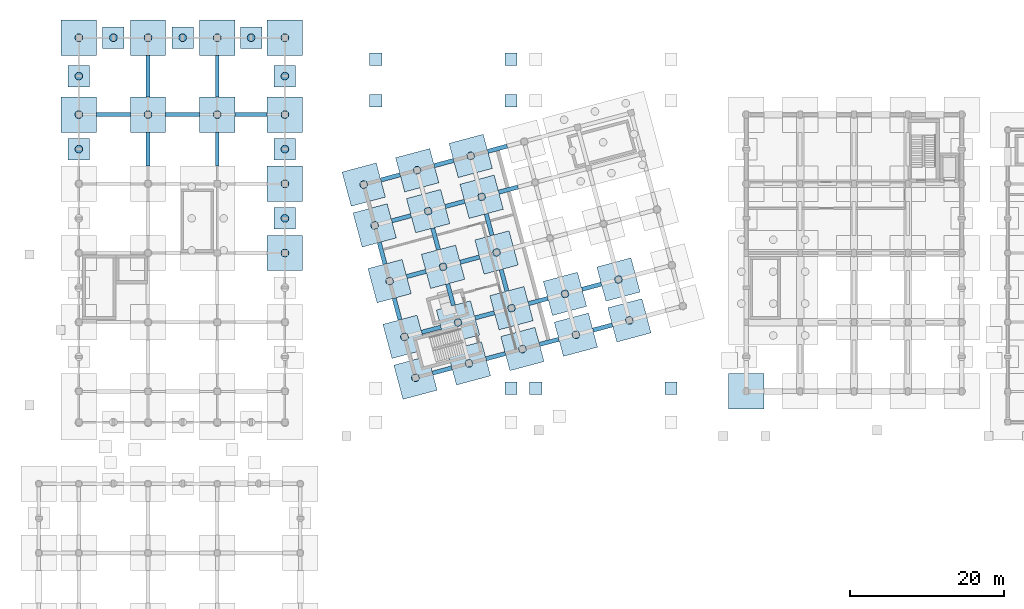
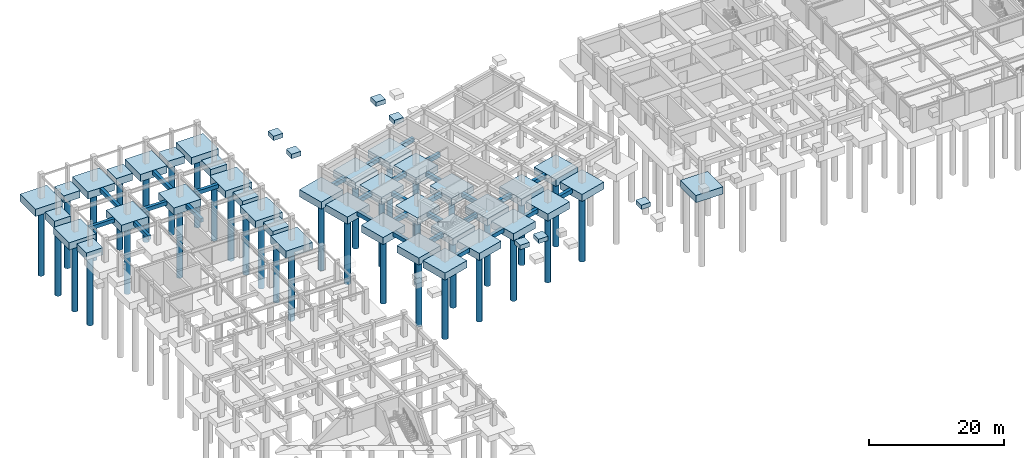
# One storey, part 3 of 20: 74 footings, 37 piles.
"""IFC4 building model written with IfcOpenShell, lengths in metres."""

from ifc_helpers import new_model, si_unit, direction, frame, origin, origin_2d, place, context, subcontext, project, spatial, rectangle, circle, extrude, material, material_profile, profile_set, type_object, element, save


model = new_model("IFC4")

# Units and contexts
model_context = context("Model", 3, precision=1e-05, world=origin(), true_north=direction((0.0, 1.0)))
body_context = subcontext(model_context, "Body", "Model", "MODEL_VIEW")
ifc_project = project(units=[si_unit("LENGTHUNIT", "METRE"), si_unit("AREAUNIT", "SQUARE_METRE"), si_unit("VOLUMEUNIT", "CUBIC_METRE"), si_unit("PLANEANGLEUNIT", "RADIAN"), si_unit("MASSUNIT", "GRAM", prefix="KILO")], contexts=[model_context])

# Site, building, storey
site_placement = place(None, origin())
site = spatial("IfcSite", under=ifc_project, at=site_placement, CompositionType="ELEMENT")
building_placement = place(site_placement, origin())
building = spatial("IfcBuilding", under=site, at=building_placement, Name="Ventoquebrada Cableway Terminal", CompositionType="ELEMENT")
storey_placement = place(building_placement, frame((0.0, 0.0, -4.5)))
storey = spatial("IfcBuildingStorey", under=building, at=storey_placement, Name="B1", CompositionType="ELEMENT", Elevation=-4.5)

# Footings
ifc_material = material(Name="Concrete C40/50", Category="concrete")
footing_type_1 = type_object("IfcFootingType", Name="FT-CN01", PredefinedType="PAD_FOOTING", material=ifc_material)
for number, where, z_axis, x_axis, name in (
    (1, (64.39990234375, 68.39990234375, -0.7998046875), (0.0, 0.0, 1.0), (1.0, 0.0, 0.0), "Canopy post pad footing FC-008"),
    (2, (85.199951171875, 68.39990234375, -0.7998046875), (0.0, 0.0, 1.0), (1.0, 0.0, 0.0), "Canopy post pad footing FC-012"),
    (3, (67.60009765625, 68.39990234375, -0.7998046875), (0.0, 0.0, 1.0), (1.0, 0.0, 0.0), "Canopy post pad footing FC-013"),
    (4, (46.800048828125, 105.800048828125, -0.7998046875), (0.0, 0.0, 1.0), (1.0, 0.0, 0.0), "Canopy post pad footing FC-014"),
    (5, (64.39990234375, 105.800048828125, -0.7998046875), (0.0, 0.0, 1.0), (1.0, 0.0, 0.0), "Canopy post pad footing FC-015"),
    (6, (64.39990234375, 111.199951171875, -0.7998046875), (0.0, 0.0, 1.0), (1.0, 0.0, 0.0), "Canopy post pad footing FC-016"),
    (7, (46.800048828125, 111.199951171875, -0.7998046875), (0.0, 0.0, 1.0), (1.0, 0.0, 0.0), "Canopy post pad footing FC-017"),
):
    element("IfcFooting", number, at=place(storey_placement, frame(where, z_axis=z_axis, x_axis=x_axis)), inside=storey, type_object=footing_type_1, Name=name, PredefinedType="PAD_FOOTING", context=body_context, shape_type="SweptSolid", body=[
        extrude(rectangle(XDim=1.60009765625, YDim=1.60009765625, at=origin_2d()), origin(), (0.0, 0.0, 1.0), 0.800048828125),
    ])
footing_type_2 = type_object("IfcFootingType", Name="FT-PC05", PredefinedType="PILE_CAP", material=ifc_material)
for number, where, z_axis, x_axis, name in (
    (8, (8.199951171875, 99.5, -1.2998046875), (0.0, 0.0, 1.0), (1.0, 0.0, 0.0), "Reinforced concrete pile cap PC-057"),
    (9, (8.199951171875, 109.0, -1.2998046875), (0.0, 0.0, 1.0), (1.0, 0.0, 0.0), "Reinforced concrete pile cap PC-059"),
    (10, (12.699951171875, 114.0, -1.2998046875), (0.0, 0.0, 1.0), (1.0, 0.0, 0.0), "Reinforced concrete pile cap PC-061"),
    (11, (21.699951171875, 114.0, -1.2998046875), (0.0, 0.0, 1.0), (1.0, 0.0, 0.0), "Reinforced concrete pile cap PC-073"),
    (12, (35.0, 90.5, -1.2998046875), (0.0, 0.0, 1.0), (1.0, 0.0, 0.0), "Reinforced concrete pile cap PC-080"),
    (13, (35.0, 99.5, -1.2998046875), (0.0, 0.0, 1.0), (1.0, 0.0, 0.0), "Reinforced concrete pile cap PC-082"),
    (14, (35.0, 109.0, -1.2998046875), (0.0, 0.0, 1.0), (1.0, 0.0, 0.0), "Reinforced concrete pile cap PC-084"),
    (15, (30.60009765625, 114.0, -1.2998046875), (0.0, 0.0, 1.0), (1.0, 0.0, 0.0), "Reinforced concrete pile cap PC-086"),
):
    element("IfcFooting", number, at=place(storey_placement, frame(where, z_axis=z_axis, x_axis=x_axis)), inside=storey, type_object=footing_type_2, Name=name, PredefinedType="PILE_CAP", context=body_context, shape_type="SweptSolid", body=[
        extrude(rectangle(XDim=2.800048828125, YDim=2.800048828125, at=origin_2d()), origin(), (0.0, 0.0, 1.0), 1.300048828125),
    ])
footing_type_3 = type_object("IfcFootingType", Name="FT-PC06", PredefinedType="PILE_CAP", material=ifc_material)
for number, where, z_axis, x_axis, name in (
    (16, (8.199951171875, 104.0, -1.2998046875), (0.0, 0.0, 1.0), (1.0, 0.0, 0.0), "Reinforced concrete pile cap PC-058"),
    (17, (8.199951171875, 114.0, -1.2998046875), (0.0, 0.0, 1.0), (1.0, 0.0, 0.0), "Reinforced concrete pile cap PC-060"),
    (18, (17.199951171875, 114.0, -1.2998046875), (0.0, 0.0, 1.0), (1.0, 0.0, 0.0), "Reinforced concrete pile cap PC-062"),
    (19, (17.199951171875, 104.0, -1.2998046875), (0.0, 0.0, 1.0), (1.0, 0.0, 0.0), "Reinforced concrete pile cap PC-071"),
    (20, (26.199951171875, 104.0, -1.2998046875), (0.0, 0.0, 1.0), (1.0, 0.0, 0.0), "Reinforced concrete pile cap PC-072"),
    (21, (35.0, 86.0, -1.2998046875), (0.0, 0.0, 1.0), (1.0, 0.0, 0.0), "Reinforced concrete pile cap PC-079"),
    (22, (35.0, 95.0, -1.2998046875), (0.0, 0.0, 1.0), (1.0, 0.0, 0.0), "Reinforced concrete pile cap PC-081"),
    (23, (35.0, 104.0, -1.2998046875), (0.0, 0.0, 1.0), (1.0, 0.0, 0.0), "Reinforced concrete pile cap PC-083"),
    (24, (26.199951171875, 114.0, -1.2998046875), (0.0, 0.0, 1.0), (1.0, 0.0, 0.0), "Reinforced concrete pile cap PC-085"),
    (25, (35.0, 114.0, -1.2998046875), (0.0, 0.0, 1.0), (1.0, 0.0, 0.0), "Reinforced concrete pile cap PC-087"),
    (26, (51.97802734375, 69.783935546875, -1.2998046875), (0.0, 0.0, 1.0), (0.965925826289, 0.258819045103, 0.0), "Reinforced concrete pile cap PC-088"),
    (27, (65.886962890625, 73.510986328125, -1.2998046875), (0.0, 0.0, 1.0), (0.965925826289, 0.258819045103, 0.0), "Reinforced concrete pile cap PC-089"),
    (28, (58.93310546875, 71.64794921875, -1.2998046875), (0.0, 0.0, 1.0), (0.965925826289, 0.258819045103, 0.0), "Reinforced concrete pile cap PC-090"),
    (29, (57.509033203125, 76.9599609375, -1.2998046875), (0.0, 0.0, 1.0), (0.965925826289, 0.258819045103, 0.0), "Reinforced concrete pile cap PC-091"),
    (30, (71.41796875, 80.68701171875, -1.2998046875), (0.0, 0.0, 1.0), (0.965925826289, 0.258819045103, 0.0), "Reinforced concrete pile cap PC-092"),
    (31, (64.464111328125, 78.823974609375, -1.2998046875), (0.0, 0.0, 1.0), (0.965925826289, 0.258819045103, 0.0), "Reinforced concrete pile cap PC-093"),
    (32, (50.553955078125, 75.096923828125, -1.2998046875), (0.0, 0.0, 1.0), (0.965925826289, 0.258819045103, 0.0), "Reinforced concrete pile cap PC-094"),
    (33, (62.52294921875, 86.068115234375, -1.2998046875), (0.0, 0.0, 1.0), (0.965925826289, 0.258819045103, 0.0), "Reinforced concrete pile cap PC-095"),
    (34, (48.613037109375, 82.341064453125, -1.2998046875), (0.0, 0.0, 1.0), (0.965925826289, 0.258819045103, 0.0), "Reinforced concrete pile cap PC-096"),
    (35, (55.568115234375, 84.205078125, -1.2998046875), (0.0, 0.0, 1.0), (0.965925826289, 0.258819045103, 0.0), "Reinforced concrete pile cap PC-097"),
    (36, (53.626953125, 91.448974609375, -1.2998046875), (0.0, 0.0, 1.0), (0.965925826289, 0.258819045103, 0.0), "Reinforced concrete pile cap PC-099"),
    (37, (60.58203125, 93.31298828125, -1.2998046875), (0.0, 0.0, 1.0), (0.965925826289, 0.258819045103, 0.0), "Reinforced concrete pile cap PC-100"),
    (38, (46.672119140625, 89.5859375, -1.2998046875), (0.0, 0.0, 1.0), (0.965925826289, 0.258819045103, 0.0), "Reinforced concrete pile cap PC-101"),
    (39, (45.2490234375, 94.89794921875, -1.2998046875), (0.0, 0.0, 1.0), (0.965925826289, 0.258819045103, 0.0), "Reinforced concrete pile cap PC-102"),
    (40, (59.157958984375, 98.625, -1.2998046875), (0.0, 0.0, 1.0), (0.965925826289, 0.258819045103, 0.0), "Reinforced concrete pile cap PC-103"),
    (41, (52.202880859375, 96.761962890625, -1.2998046875), (0.0, 0.0, 1.0), (0.965925826289, 0.258819045103, 0.0), "Reinforced concrete pile cap PC-104"),
    (42, (79.797119140625, 77.238037109375, -1.2998046875), (0.0, 0.0, 1.0), (0.965925826289, 0.258819045103, 0.0), "Reinforced concrete pile cap PC-105"),
    (43, (72.842041015625, 75.375, -1.2998046875), (0.0, 0.0, 1.0), (0.965925826289, 0.258819045103, 0.0), "Reinforced concrete pile cap PC-106"),
    (44, (78.373046875, 82.551025390625, -1.2998046875), (0.0, 0.0, 1.0), (0.965925826289, 0.258819045103, 0.0), "Reinforced concrete pile cap PC-109"),
    (45, (95.0, 68.0, -1.2998046875), (0.0, 0.0, 1.0), (1.0, 0.0, 0.0), "Reinforced concrete pile cap PC-117"),
):
    element("IfcFooting", number, at=place(storey_placement, frame(where, z_axis=z_axis, x_axis=x_axis)), inside=storey, type_object=footing_type_3, Name=name, PredefinedType="PILE_CAP", context=body_context, shape_type="SweptSolid", body=[
        extrude(rectangle(XDim=4.60009765625, YDim=4.60009765625, at=origin_2d()), origin(), (0.0, 0.0, 1.0), 1.300048828125),
    ])
footing_type_4 = type_object("IfcFootingType", Name="FT-TB02", PredefinedType="FOOTING_BEAM", material=ifc_material)
footing_1_placement = place(storey_placement, frame((30.60009765625, 104.0, -0.7001953125), z_axis=(0.0, 0.0, 1.0), x_axis=(1.0, 0.0, 0.0)))
element("IfcFooting", 46, at=footing_1_placement, inside=storey, type_object=footing_type_4, Name="Reinforced concrete seismic tie beam TB-062", PredefinedType="FOOTING_BEAM", context=body_context, shape_type="SweptSolid", body=[
    extrude(rectangle(XDim=4.2041015625, YDim=0.5, at=origin_2d()), origin(), (0.0, 0.0, 1.0), 0.699951171875),
])
footing_type_5 = type_object("IfcFootingType", Name="FT-TB03", PredefinedType="FOOTING_BEAM", material=ifc_material)
for number, where, z_axis, x_axis, name in (
    (47, (17.199951171875, 99.5, -0.7001953125), (0.0, 0.0, 1.0), (0.0, 1.0, 0.0), "Reinforced concrete seismic tie beam TB-042"),
    (48, (26.199951171875, 99.5, -0.7001953125), (0.0, 0.0, 1.0), (0.0, 1.0, 0.0), "Reinforced concrete seismic tie beam TB-046"),
    (49, (12.699951171875, 104.0, -0.7001953125), (0.0, 0.0, 1.0), (1.0, 0.0, 0.0), "Reinforced concrete seismic tie beam TB-060"),
    (50, (21.699951171875, 104.0, -0.7001953125), (0.0, 0.0, 1.0), (1.0, 0.0, 0.0), "Reinforced concrete seismic tie beam TB-061"),
):
    element("IfcFooting", number, at=place(storey_placement, frame(where, z_axis=z_axis, x_axis=x_axis)), inside=storey, type_object=footing_type_5, Name=name, PredefinedType="FOOTING_BEAM", context=body_context, shape_type="SweptSolid", body=[
        extrude(rectangle(XDim=4.404052734375, YDim=0.5, at=origin_2d()), origin(), (0.0, 0.0, 1.0), 0.699951171875),
    ])
footing_type_6 = type_object("IfcFootingType", Name="FT-TB06", PredefinedType="FOOTING_BEAM", material=ifc_material)
for number, where, z_axis, x_axis, name in (
    (51, (17.199951171875, 109.0, -0.7001953125), (0.0, 0.0, 1.0), (0.0, 1.0, 0.0), "Reinforced concrete seismic tie beam TB-043"),
    (52, (26.199951171875, 109.0, -0.7001953125), (0.0, 0.0, 1.0), (0.0, 1.0, 0.0), "Reinforced concrete seismic tie beam TB-047"),
):
    element("IfcFooting", number, at=place(storey_placement, frame(where, z_axis=z_axis, x_axis=x_axis)), inside=storey, type_object=footing_type_6, Name=name, PredefinedType="FOOTING_BEAM", context=body_context, shape_type="SweptSolid", body=[
        extrude(rectangle(XDim=5.404052734375, YDim=0.5, at=origin_2d()), origin(), (0.0, 0.0, 1.0), 0.699951171875),
    ])
footing_type_7 = type_object("IfcFootingType", Name="FT-TB11", PredefinedType="FOOTING_BEAM", material=ifc_material)
footing_2_placement = place(storey_placement, frame((49.583984375, 78.718994140625, -0.75), z_axis=(0.0, 0.0, 1.0), x_axis=(-0.258819045103, 0.965925826289, 0.0)))
element("IfcFooting", 53, at=footing_2_placement, inside=storey, type_object=footing_type_7, Name="Reinforced concrete seismic tie beam TB-122", PredefinedType="FOOTING_BEAM", context=body_context, shape_type="SweptSolid", body=[
    extrude(rectangle(XDim=2.904052734375, YDim=0.550048828125, at=origin_2d()), origin(), (0.0, 0.0, 1.0), 0.75),
])
for number, where, z_axis, x_axis, name in (
    (54, (47.64208984375, 85.962890625, -0.75), (0.0, 0.0, 1.0), (-0.258785327773, 0.96593486019, 0.0), "Reinforced concrete seismic tie beam TB-123"),
    (55, (56.5380859375, 80.58203125, -0.75), (0.0, 0.0, 1.0), (-0.258785327773, 0.96593486019, 0.0), "Reinforced concrete seismic tie beam TB-124"),
):
    element("IfcFooting", number, at=place(storey_placement, frame(where, z_axis=z_axis, x_axis=x_axis)), inside=storey, type_object=footing_type_7, Name=name, PredefinedType="FOOTING_BEAM", context=body_context, shape_type="SweptSolid", body=[
        extrude(rectangle(XDim=2.905029296875, YDim=0.550048828125, at=origin_2d()), origin(), (0.0, 0.0, 1.0), 0.75),
    ])
for number, where, z_axis, x_axis, name in (
    (56, (54.596923828125, 87.826904296875, -0.75), (0.0, 0.0, 1.0), (-0.258819045103, 0.965925826289, 0.0), "Reinforced concrete seismic tie beam TB-125"),
    (57, (63.492919921875, 82.446044921875, -0.75), (0.0, 0.0, 1.0), (-0.258819045103, 0.965925826289, 0.0), "Reinforced concrete seismic tie beam TB-126"),
):
    element("IfcFooting", number, at=place(storey_placement, frame(where, z_axis=z_axis, x_axis=x_axis)), inside=storey, type_object=footing_type_7, Name=name, PredefinedType="FOOTING_BEAM", context=body_context, shape_type="SweptSolid", body=[
        extrude(rectangle(XDim=2.904052734375, YDim=0.550048828125, at=origin_2d()), origin(), (0.0, 0.0, 1.0), 0.75),
    ])
footing_3_placement = place(storey_placement, frame((61.552978515625, 89.69091796875, -0.75), z_axis=(0.0, 0.0, 1.0), x_axis=(-0.258785327773, 0.96593486019, 0.0)))
element("IfcFooting", 58, at=footing_3_placement, inside=storey, type_object=footing_type_7, Name="Reinforced concrete seismic tie beam TB-127", PredefinedType="FOOTING_BEAM", context=body_context, shape_type="SweptSolid", body=[
    extrude(rectangle(XDim=2.905029296875, YDim=0.550048828125, at=origin_2d()), origin(), (0.0, 0.0, 1.0), 0.75),
])
footing_type_8 = type_object("IfcFootingType", Name="FT-TB12", PredefinedType="FOOTING_BEAM", material=ifc_material)
footing_4_placement = place(storey_placement, frame((55.4560546875, 70.716064453125, -0.75), z_axis=(0.0, 0.0, 1.0), x_axis=(0.965912273231, 0.258869620506, 0.0)))
element("IfcFooting", 59, at=footing_4_placement, inside=storey, type_object=footing_type_8, Name="Reinforced concrete seismic tie beam TB-134", PredefinedType="FOOTING_BEAM", context=body_context, shape_type="SweptSolid", body=[
    extrude(rectangle(XDim=2.60400390625, YDim=0.550048828125, at=origin_2d()), origin(), (0.0, 0.0, 1.0), 0.75),
])
footing_5_placement = place(storey_placement, frame((62.409912109375, 72.5791015625, -0.75), z_axis=(0.0, 0.0, 1.0), x_axis=(0.96593486019, 0.258785327773, 0.0)))
element("IfcFooting", 60, at=footing_5_placement, inside=storey, type_object=footing_type_8, Name="Reinforced concrete seismic tie beam TB-135", PredefinedType="FOOTING_BEAM", context=body_context, shape_type="SweptSolid", body=[
    extrude(rectangle(XDim=2.60302734375, YDim=0.550048828125, at=origin_2d()), origin(), (0.0, 0.0, 1.0), 0.75),
])
for number, where, z_axis, x_axis, name in (
    (61, (69.364013671875, 74.443115234375, -0.75), (0.0, 0.0, 1.0), (0.965912273231, 0.258869620506, 0.0), "Reinforced concrete seismic tie beam TB-136"),
    (62, (76.320068359375, 76.305908203125, -0.75), (0.0, 0.0, 1.0), (0.965948408834, 0.258734751187, 0.0), "Reinforced concrete seismic tie beam TB-137"),
    (63, (54.031982421875, 76.028076171875, -0.75), (0.0, 0.0, 1.0), (0.965948408834, 0.258734751187, 0.0), "Reinforced concrete seismic tie beam TB-139"),
    (64, (60.986083984375, 77.89208984375, -0.75), (0.0, 0.0, 1.0), (0.965912273231, 0.258869620506, 0.0), "Reinforced concrete seismic tie beam TB-140"),
):
    element("IfcFooting", number, at=place(storey_placement, frame(where, z_axis=z_axis, x_axis=x_axis)), inside=storey, type_object=footing_type_8, Name=name, PredefinedType="FOOTING_BEAM", context=body_context, shape_type="SweptSolid", body=[
        extrude(rectangle(XDim=2.60400390625, YDim=0.550048828125, at=origin_2d()), origin(), (0.0, 0.0, 1.0), 0.75),
    ])
footing_6_placement = place(storey_placement, frame((67.94091796875, 79.7548828125, -0.75), z_axis=(0.0, 0.0, 1.0), x_axis=(0.96593486019, 0.258785327773, 0.0)))
element("IfcFooting", 65, at=footing_6_placement, inside=storey, type_object=footing_type_8, Name="Reinforced concrete seismic tie beam TB-141", PredefinedType="FOOTING_BEAM", context=body_context, shape_type="SweptSolid", body=[
    extrude(rectangle(XDim=2.60302734375, YDim=0.550048828125, at=origin_2d()), origin(), (0.0, 0.0, 1.0), 0.75),
])
for number, where, z_axis, x_axis, name in (
    (66, (74.89501953125, 81.618896484375, -0.75), (0.0, 0.0, 1.0), (0.965912273231, 0.258869620506, 0.0), "Reinforced concrete seismic tie beam TB-142"),
    (67, (52.090087890625, 83.27294921875, -0.75), (0.0, 0.0, 1.0), (0.965912273231, 0.258869620506, 0.0), "Reinforced concrete seismic tie beam TB-144"),
    (68, (59.0458984375, 85.135986328125, -0.75), (0.0, 0.0, 1.0), (0.965948408834, 0.258734751187, 0.0), "Reinforced concrete seismic tie beam TB-145"),
    (69, (50.14990234375, 90.51708984375, -0.75), (0.0, 0.0, 1.0), (0.965948408834, 0.258734751187, 0.0), "Reinforced concrete seismic tie beam TB-149"),
    (70, (57.10498046875, 92.381103515625, -0.75), (0.0, 0.0, 1.0), (0.965912273231, 0.258869620506, 0.0), "Reinforced concrete seismic tie beam TB-150"),
):
    element("IfcFooting", number, at=place(storey_placement, frame(where, z_axis=z_axis, x_axis=x_axis)), inside=storey, type_object=footing_type_8, Name=name, PredefinedType="FOOTING_BEAM", context=body_context, shape_type="SweptSolid", body=[
        extrude(rectangle(XDim=2.60400390625, YDim=0.550048828125, at=origin_2d()), origin(), (0.0, 0.0, 1.0), 0.75),
    ])
for number, where, z_axis, x_axis, name in (
    (71, (64.05908203125, 94.2451171875, -0.75), (0.0, 0.0, 1.0), (0.96593486019, 0.258785327773, 0.0), "Reinforced concrete seismic tie beam TB-151"),
    (72, (48.72607421875, 95.830078125, -0.75), (0.0, 0.0, 1.0), (0.965903236389, 0.258903337047, 0.0), "Reinforced concrete seismic tie beam TB-152"),
):
    element("IfcFooting", number, at=place(storey_placement, frame(where, z_axis=z_axis, x_axis=x_axis)), inside=storey, type_object=footing_type_8, Name=name, PredefinedType="FOOTING_BEAM", context=body_context, shape_type="SweptSolid", body=[
        extrude(rectangle(XDim=2.60302734375, YDim=0.550048828125, at=origin_2d()), origin(), (0.0, 0.0, 1.0), 0.75),
    ])
for number, where, z_axis, x_axis, name in (
    (73, (55.680908203125, 97.694091796875, -0.75), (0.0, 0.0, 1.0), (0.965948408834, 0.258734751187, 0.0), "Reinforced concrete seismic tie beam TB-153"),
    (74, (62.635986328125, 99.556884765625, -0.75), (0.0, 0.0, 1.0), (0.965912273231, 0.258869620506, 0.0), "Reinforced concrete seismic tie beam TB-154"),
):
    element("IfcFooting", number, at=place(storey_placement, frame(where, z_axis=z_axis, x_axis=x_axis)), inside=storey, type_object=footing_type_8, Name=name, PredefinedType="FOOTING_BEAM", context=body_context, shape_type="SweptSolid", body=[
        extrude(rectangle(XDim=2.60400390625, YDim=0.550048828125, at=origin_2d()), origin(), (0.0, 0.0, 1.0), 0.75),
    ])

# Piles
ifc_material_profile = material_profile(ifc_material, circle(Radius=0.5, at=origin_2d()), Name="PILE-D1000")
ifc_profile_set = profile_set([ifc_material_profile], Name="Concrete C40/50")
pile_type = type_object("IfcPileType", Name="PL-D1000", PredefinedType="BORED", material=ifc_profile_set)
pile_1_placement = place(storey_placement, frame((8.199951171875, 99.5, -1.199951171875), z_axis=(0.0, 0.0, -1.0), x_axis=(1.0, 0.0, 0.0)))
element("IfcPile", 75, at=pile_1_placement, inside=storey, type_object=pile_type, Name="Cast-in-place bored pile FP-065", PredefinedType="BORED", context=body_context, shape_type="SweptSolid", body=[
    extrude(circle(Radius=0.5, at=origin_2d()), origin(), (0.0, 0.0, 1.0), 13.0),
])
pile_2_placement = place(storey_placement, frame((8.199951171875, 104.0, -1.199951171875), z_axis=(0.0, 0.0, -1.0), x_axis=(1.0, 0.0, 0.0)))
element("IfcPile", 76, at=pile_2_placement, inside=storey, type_object=pile_type, Name="Cast-in-place bored pile FP-066", PredefinedType="BORED", context=body_context, shape_type="SweptSolid", body=[
    extrude(circle(Radius=0.5, at=origin_2d()), origin(), (0.0, 0.0, 1.0), 13.199951171875),
])
pile_3_placement = place(storey_placement, frame((8.199951171875, 109.0, -1.199951171875), z_axis=(0.0, 0.0, -1.0), x_axis=(1.0, 0.0, 0.0)))
element("IfcPile", 77, at=pile_3_placement, inside=storey, type_object=pile_type, Name="Cast-in-place bored pile FP-067", PredefinedType="BORED", context=body_context, shape_type="SweptSolid", body=[
    extrude(circle(Radius=0.5, at=origin_2d()), origin(), (0.0, 0.0, 1.0), 13.39990234375),
])
pile_4_placement = place(storey_placement, frame((8.199951171875, 114.0, -1.199951171875), z_axis=(0.0, 0.0, -1.0), x_axis=(1.0, 0.0, 0.0)))
element("IfcPile", 78, at=pile_4_placement, inside=storey, type_object=pile_type, Name="Cast-in-place bored pile FP-068", PredefinedType="BORED", context=body_context, shape_type="SweptSolid", body=[
    extrude(circle(Radius=0.5, at=origin_2d()), origin(), (0.0, 0.0, 1.0), 12.800048828125),
])
pile_5_placement = place(storey_placement, frame((12.699951171875, 114.0, -1.199951171875), z_axis=(0.0, 0.0, -1.0), x_axis=(1.0, 0.0, 0.0)))
element("IfcPile", 79, at=pile_5_placement, inside=storey, type_object=pile_type, Name="Cast-in-place bored pile FP-069", PredefinedType="BORED", context=body_context, shape_type="SweptSolid", body=[
    extrude(circle(Radius=0.5, at=origin_2d()), origin(), (0.0, 0.0, 1.0), 13.0),
])
for number, where, z_axis, x_axis, name in (
    (80, (17.199951171875, 114.0, -1.199951171875), (0.0, 0.0, -1.0), (1.0, 0.0, 0.0), "Cast-in-place bored pile FP-070"),
    (81, (17.199951171875, 104.0, -1.199951171875), (0.0, 0.0, -1.0), (1.0, 0.0, 0.0), "Cast-in-place bored pile FP-086"),
):
    element("IfcPile", number, at=place(storey_placement, frame(where, z_axis=z_axis, x_axis=x_axis)), inside=storey, type_object=pile_type, Name=name, PredefinedType="BORED", context=body_context, shape_type="SweptSolid", body=[
        extrude(circle(Radius=0.5, at=origin_2d()), origin(), (0.0, 0.0, 1.0), 13.199951171875),
    ])
pile_6_placement = place(storey_placement, frame((26.199951171875, 104.0, -1.199951171875), z_axis=(0.0, 0.0, -1.0), x_axis=(1.0, 0.0, 0.0)))
element("IfcPile", 82, at=pile_6_placement, inside=storey, type_object=pile_type, Name="Cast-in-place bored pile FP-087", PredefinedType="BORED", context=body_context, shape_type="SweptSolid", body=[
    extrude(circle(Radius=0.5, at=origin_2d()), origin(), (0.0, 0.0, 1.0), 13.39990234375),
])
pile_7_placement = place(storey_placement, frame((21.699951171875, 114.0, -1.199951171875), z_axis=(0.0, 0.0, -1.0), x_axis=(1.0, 0.0, 0.0)))
element("IfcPile", 83, at=pile_7_placement, inside=storey, type_object=pile_type, Name="Cast-in-place bored pile FP-088", PredefinedType="BORED", context=body_context, shape_type="SweptSolid", body=[
    extrude(circle(Radius=0.5, at=origin_2d()), origin(), (0.0, 0.0, 1.0), 12.800048828125),
])
pile_8_placement = place(storey_placement, frame((35.0, 86.0, -1.199951171875), z_axis=(0.0, 0.0, -1.0), x_axis=(1.0, 0.0, 0.0)))
element("IfcPile", 84, at=pile_8_placement, inside=storey, type_object=pile_type, Name="Cast-in-place bored pile FP-095", PredefinedType="BORED", context=body_context, shape_type="SweptSolid", body=[
    extrude(circle(Radius=0.5, at=origin_2d()), origin(), (0.0, 0.0, 1.0), 13.39990234375),
])
pile_9_placement = place(storey_placement, frame((35.0, 90.5, -1.199951171875), z_axis=(0.0, 0.0, -1.0), x_axis=(1.0, 0.0, 0.0)))
element("IfcPile", 85, at=pile_9_placement, inside=storey, type_object=pile_type, Name="Cast-in-place bored pile FP-096", PredefinedType="BORED", context=body_context, shape_type="SweptSolid", body=[
    extrude(circle(Radius=0.5, at=origin_2d()), origin(), (0.0, 0.0, 1.0), 12.800048828125),
])
pile_10_placement = place(storey_placement, frame((35.0, 95.0, -1.199951171875), z_axis=(0.0, 0.0, -1.0), x_axis=(1.0, 0.0, 0.0)))
element("IfcPile", 86, at=pile_10_placement, inside=storey, type_object=pile_type, Name="Cast-in-place bored pile FP-097", PredefinedType="BORED", context=body_context, shape_type="SweptSolid", body=[
    extrude(circle(Radius=0.5, at=origin_2d()), origin(), (0.0, 0.0, 1.0), 13.0),
])
pile_11_placement = place(storey_placement, frame((35.0, 99.5, -1.199951171875), z_axis=(0.0, 0.0, -1.0), x_axis=(1.0, 0.0, 0.0)))
element("IfcPile", 87, at=pile_11_placement, inside=storey, type_object=pile_type, Name="Cast-in-place bored pile FP-098", PredefinedType="BORED", context=body_context, shape_type="SweptSolid", body=[
    extrude(circle(Radius=0.5, at=origin_2d()), origin(), (0.0, 0.0, 1.0), 13.199951171875),
])
pile_12_placement = place(storey_placement, frame((35.0, 104.0, -1.199951171875), z_axis=(0.0, 0.0, -1.0), x_axis=(1.0, 0.0, 0.0)))
element("IfcPile", 88, at=pile_12_placement, inside=storey, type_object=pile_type, Name="Cast-in-place bored pile FP-099", PredefinedType="BORED", context=body_context, shape_type="SweptSolid", body=[
    extrude(circle(Radius=0.5, at=origin_2d()), origin(), (0.0, 0.0, 1.0), 13.39990234375),
])
pile_13_placement = place(storey_placement, frame((35.0, 109.0, -1.199951171875), z_axis=(0.0, 0.0, -1.0), x_axis=(1.0, 0.0, 0.0)))
element("IfcPile", 89, at=pile_13_placement, inside=storey, type_object=pile_type, Name="Cast-in-place bored pile FP-100", PredefinedType="BORED", context=body_context, shape_type="SweptSolid", body=[
    extrude(circle(Radius=0.5, at=origin_2d()), origin(), (0.0, 0.0, 1.0), 12.800048828125),
])
pile_14_placement = place(storey_placement, frame((26.199951171875, 114.0, -1.199951171875), z_axis=(0.0, 0.0, -1.0), x_axis=(1.0, 0.0, 0.0)))
element("IfcPile", 90, at=pile_14_placement, inside=storey, type_object=pile_type, Name="Cast-in-place bored pile FP-101", PredefinedType="BORED", context=body_context, shape_type="SweptSolid", body=[
    extrude(circle(Radius=0.5, at=origin_2d()), origin(), (0.0, 0.0, 1.0), 13.0),
])
pile_15_placement = place(storey_placement, frame((30.60009765625, 114.0, -1.199951171875), z_axis=(0.0, 0.0, -1.0), x_axis=(1.0, 0.0, 0.0)))
element("IfcPile", 91, at=pile_15_placement, inside=storey, type_object=pile_type, Name="Cast-in-place bored pile FP-102", PredefinedType="BORED", context=body_context, shape_type="SweptSolid", body=[
    extrude(circle(Radius=0.5, at=origin_2d()), origin(), (0.0, 0.0, 1.0), 13.199951171875),
])
pile_16_placement = place(storey_placement, frame((35.0, 114.0, -1.199951171875), z_axis=(0.0, 0.0, -1.0), x_axis=(1.0, 0.0, 0.0)))
element("IfcPile", 92, at=pile_16_placement, inside=storey, type_object=pile_type, Name="Cast-in-place bored pile FP-103", PredefinedType="BORED", context=body_context, shape_type="SweptSolid", body=[
    extrude(circle(Radius=0.5, at=origin_2d()), origin(), (0.0, 0.0, 1.0), 13.39990234375),
])
pile_17_placement = place(storey_placement, frame((51.97802734375, 69.783935546875, -1.199951171875), z_axis=(0.0, 0.0, -1.0), x_axis=(1.0, 0.0, 0.0)))
element("IfcPile", 93, at=pile_17_placement, inside=storey, type_object=pile_type, Name="Cast-in-place bored pile FP-104", PredefinedType="BORED", context=body_context, shape_type="SweptSolid", body=[
    extrude(circle(Radius=0.5, at=origin_2d()), origin(), (0.0, 0.0, 1.0), 12.800048828125),
])
pile_18_placement = place(storey_placement, frame((65.886962890625, 73.510986328125, -1.199951171875), z_axis=(0.0, 0.0, -1.0), x_axis=(1.0, 0.0, 0.0)))
element("IfcPile", 94, at=pile_18_placement, inside=storey, type_object=pile_type, Name="Cast-in-place bored pile FP-105", PredefinedType="BORED", context=body_context, shape_type="SweptSolid", body=[
    extrude(circle(Radius=0.5, at=origin_2d()), origin(), (0.0, 0.0, 1.0), 13.0),
])
pile_19_placement = place(storey_placement, frame((58.93310546875, 71.64794921875, -1.199951171875), z_axis=(0.0, 0.0, -1.0), x_axis=(1.0, 0.0, 0.0)))
element("IfcPile", 95, at=pile_19_placement, inside=storey, type_object=pile_type, Name="Cast-in-place bored pile FP-106", PredefinedType="BORED", context=body_context, shape_type="SweptSolid", body=[
    extrude(circle(Radius=0.5, at=origin_2d()), origin(), (0.0, 0.0, 1.0), 13.199951171875),
])
pile_20_placement = place(storey_placement, frame((57.509033203125, 76.9599609375, -1.199951171875), z_axis=(0.0, 0.0, -1.0), x_axis=(1.0, 0.0, 0.0)))
element("IfcPile", 96, at=pile_20_placement, inside=storey, type_object=pile_type, Name="Cast-in-place bored pile FP-107", PredefinedType="BORED", context=body_context, shape_type="SweptSolid", body=[
    extrude(circle(Radius=0.5, at=origin_2d()), origin(), (0.0, 0.0, 1.0), 13.39990234375),
])
pile_21_placement = place(storey_placement, frame((71.41796875, 80.68701171875, -1.199951171875), z_axis=(0.0, 0.0, -1.0), x_axis=(1.0, 0.0, 0.0)))
element("IfcPile", 97, at=pile_21_placement, inside=storey, type_object=pile_type, Name="Cast-in-place bored pile FP-108", PredefinedType="BORED", context=body_context, shape_type="SweptSolid", body=[
    extrude(circle(Radius=0.5, at=origin_2d()), origin(), (0.0, 0.0, 1.0), 12.800048828125),
])
pile_22_placement = place(storey_placement, frame((64.464111328125, 78.823974609375, -1.199951171875), z_axis=(0.0, 0.0, -1.0), x_axis=(1.0, 0.0, 0.0)))
element("IfcPile", 98, at=pile_22_placement, inside=storey, type_object=pile_type, Name="Cast-in-place bored pile FP-109", PredefinedType="BORED", context=body_context, shape_type="SweptSolid", body=[
    extrude(circle(Radius=0.5, at=origin_2d()), origin(), (0.0, 0.0, 1.0), 13.0),
])
pile_23_placement = place(storey_placement, frame((50.553955078125, 75.096923828125, -1.199951171875), z_axis=(0.0, 0.0, -1.0), x_axis=(1.0, 0.0, 0.0)))
element("IfcPile", 99, at=pile_23_placement, inside=storey, type_object=pile_type, Name="Cast-in-place bored pile FP-110", PredefinedType="BORED", context=body_context, shape_type="SweptSolid", body=[
    extrude(circle(Radius=0.5, at=origin_2d()), origin(), (0.0, 0.0, 1.0), 13.199951171875),
])
pile_24_placement = place(storey_placement, frame((62.52294921875, 86.068115234375, -1.199951171875), z_axis=(0.0, 0.0, -1.0), x_axis=(1.0, 0.0, 0.0)))
element("IfcPile", 100, at=pile_24_placement, inside=storey, type_object=pile_type, Name="Cast-in-place bored pile FP-111", PredefinedType="BORED", context=body_context, shape_type="SweptSolid", body=[
    extrude(circle(Radius=0.5, at=origin_2d()), origin(), (0.0, 0.0, 1.0), 13.39990234375),
])
pile_25_placement = place(storey_placement, frame((48.613037109375, 82.341064453125, -1.199951171875), z_axis=(0.0, 0.0, -1.0), x_axis=(1.0, 0.0, 0.0)))
element("IfcPile", 101, at=pile_25_placement, inside=storey, type_object=pile_type, Name="Cast-in-place bored pile FP-112", PredefinedType="BORED", context=body_context, shape_type="SweptSolid", body=[
    extrude(circle(Radius=0.5, at=origin_2d()), origin(), (0.0, 0.0, 1.0), 12.800048828125),
])
pile_26_placement = place(storey_placement, frame((55.568115234375, 84.205078125, -1.199951171875), z_axis=(0.0, 0.0, -1.0), x_axis=(1.0, 0.0, 0.0)))
element("IfcPile", 102, at=pile_26_placement, inside=storey, type_object=pile_type, Name="Cast-in-place bored pile FP-113", PredefinedType="BORED", context=body_context, shape_type="SweptSolid", body=[
    extrude(circle(Radius=0.5, at=origin_2d()), origin(), (0.0, 0.0, 1.0), 13.0),
])
pile_27_placement = place(storey_placement, frame((53.626953125, 91.448974609375, -1.199951171875), z_axis=(0.0, 0.0, -1.0), x_axis=(1.0, 0.0, 0.0)))
element("IfcPile", 103, at=pile_27_placement, inside=storey, type_object=pile_type, Name="Cast-in-place bored pile FP-115", PredefinedType="BORED", context=body_context, shape_type="SweptSolid", body=[
    extrude(circle(Radius=0.5, at=origin_2d()), origin(), (0.0, 0.0, 1.0), 13.39990234375),
])
pile_28_placement = place(storey_placement, frame((60.58203125, 93.31298828125, -1.199951171875), z_axis=(0.0, 0.0, -1.0), x_axis=(1.0, 0.0, 0.0)))
element("IfcPile", 104, at=pile_28_placement, inside=storey, type_object=pile_type, Name="Cast-in-place bored pile FP-116", PredefinedType="BORED", context=body_context, shape_type="SweptSolid", body=[
    extrude(circle(Radius=0.5, at=origin_2d()), origin(), (0.0, 0.0, 1.0), 12.800048828125),
])
pile_29_placement = place(storey_placement, frame((46.672119140625, 89.5859375, -1.199951171875), z_axis=(0.0, 0.0, -1.0), x_axis=(1.0, 0.0, 0.0)))
element("IfcPile", 105, at=pile_29_placement, inside=storey, type_object=pile_type, Name="Cast-in-place bored pile FP-117", PredefinedType="BORED", context=body_context, shape_type="SweptSolid", body=[
    extrude(circle(Radius=0.5, at=origin_2d()), origin(), (0.0, 0.0, 1.0), 13.0),
])
pile_30_placement = place(storey_placement, frame((45.2490234375, 94.89794921875, -1.199951171875), z_axis=(0.0, 0.0, -1.0), x_axis=(1.0, 0.0, 0.0)))
element("IfcPile", 106, at=pile_30_placement, inside=storey, type_object=pile_type, Name="Cast-in-place bored pile FP-118", PredefinedType="BORED", context=body_context, shape_type="SweptSolid", body=[
    extrude(circle(Radius=0.5, at=origin_2d()), origin(), (0.0, 0.0, 1.0), 13.199951171875),
])
pile_31_placement = place(storey_placement, frame((59.157958984375, 98.625, -1.199951171875), z_axis=(0.0, 0.0, -1.0), x_axis=(1.0, 0.0, 0.0)))
element("IfcPile", 107, at=pile_31_placement, inside=storey, type_object=pile_type, Name="Cast-in-place bored pile FP-119", PredefinedType="BORED", context=body_context, shape_type="SweptSolid", body=[
    extrude(circle(Radius=0.5, at=origin_2d()), origin(), (0.0, 0.0, 1.0), 13.39990234375),
])
pile_32_placement = place(storey_placement, frame((52.202880859375, 96.761962890625, -1.199951171875), z_axis=(0.0, 0.0, -1.0), x_axis=(1.0, 0.0, 0.0)))
element("IfcPile", 108, at=pile_32_placement, inside=storey, type_object=pile_type, Name="Cast-in-place bored pile FP-120", PredefinedType="BORED", context=body_context, shape_type="SweptSolid", body=[
    extrude(circle(Radius=0.5, at=origin_2d()), origin(), (0.0, 0.0, 1.0), 12.800048828125),
])
pile_33_placement = place(storey_placement, frame((79.797119140625, 77.238037109375, -1.199951171875), z_axis=(0.0, 0.0, -1.0), x_axis=(1.0, 0.0, 0.0)))
element("IfcPile", 109, at=pile_33_placement, inside=storey, type_object=pile_type, Name="Cast-in-place bored pile FP-121", PredefinedType="BORED", context=body_context, shape_type="SweptSolid", body=[
    extrude(circle(Radius=0.5, at=origin_2d()), origin(), (0.0, 0.0, 1.0), 13.0),
])
pile_34_placement = place(storey_placement, frame((72.842041015625, 75.375, -1.199951171875), z_axis=(0.0, 0.0, -1.0), x_axis=(1.0, 0.0, 0.0)))
element("IfcPile", 110, at=pile_34_placement, inside=storey, type_object=pile_type, Name="Cast-in-place bored pile FP-122", PredefinedType="BORED", context=body_context, shape_type="SweptSolid", body=[
    extrude(circle(Radius=0.5, at=origin_2d()), origin(), (0.0, 0.0, 1.0), 13.199951171875),
])
pile_35_placement = place(storey_placement, frame((78.373046875, 82.551025390625, -1.199951171875), z_axis=(0.0, 0.0, -1.0), x_axis=(1.0, 0.0, 0.0)))
element("IfcPile", 111, at=pile_35_placement, inside=storey, type_object=pile_type, Name="Cast-in-place bored pile FP-125", PredefinedType="BORED", context=body_context, shape_type="SweptSolid", body=[
    extrude(circle(Radius=0.5, at=origin_2d()), origin(), (0.0, 0.0, 1.0), 13.0),
])

save(model, "model.ifc")
